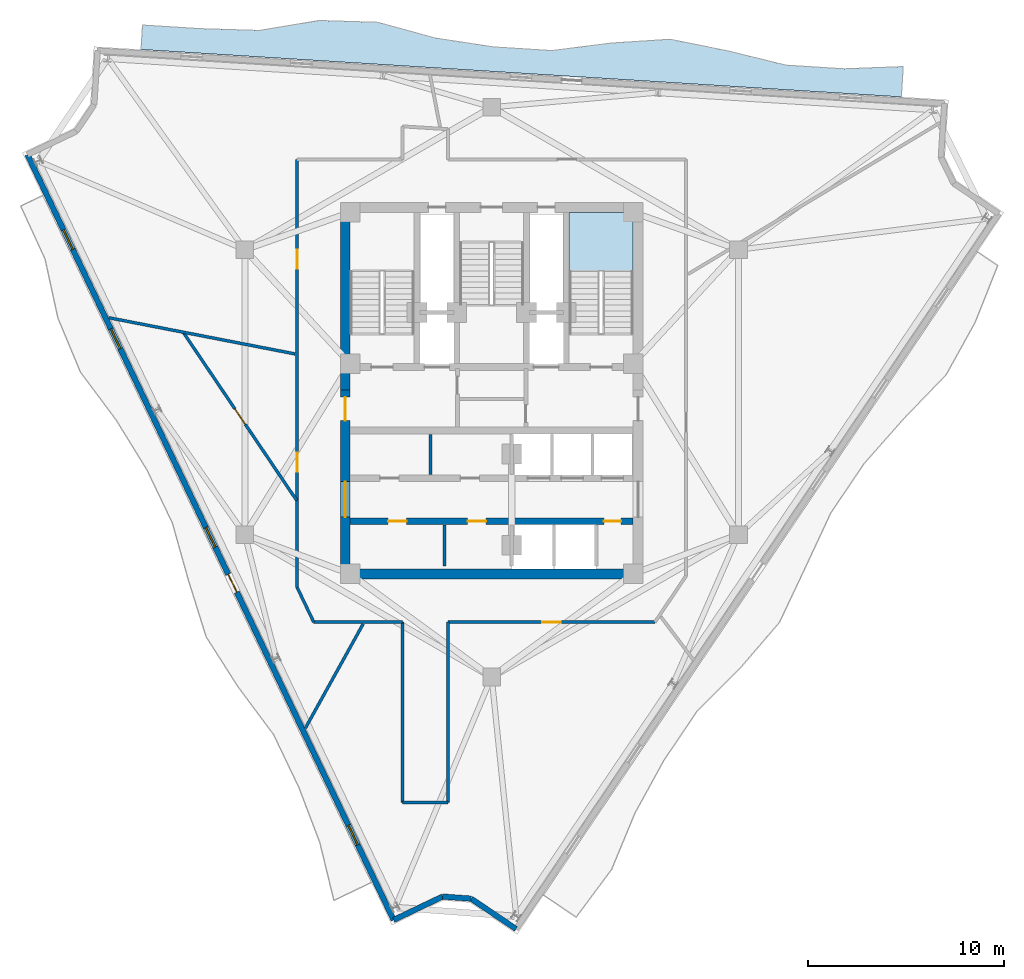
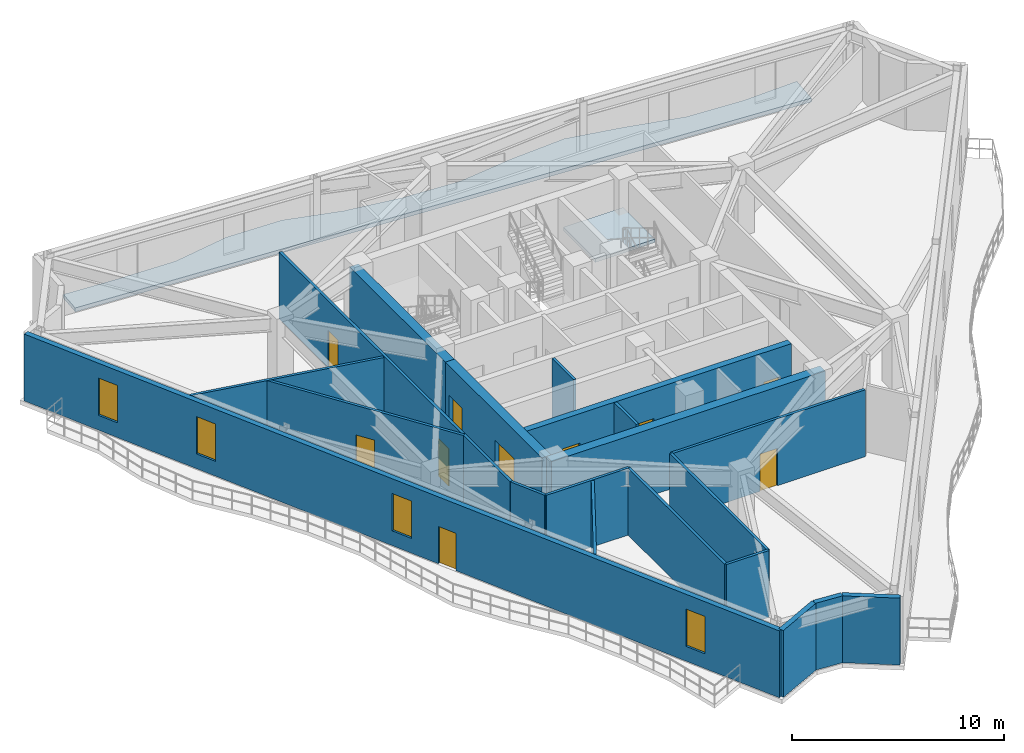
# One storey, part 5 of 10: 20 walls, 10 doors, 4 windows, 2 slabs, 14 openings, 1 element without a shape of its own.
"""IFC4 building model written with IfcOpenShell, lengths in metres."""

from ifc_helpers import new_model, si_unit, direction, frame, frame_2d, origin, place, context, subcontext, project, spatial, polyline, rectangle, outline, extrude, material, layer, layer_set, type_object, element, fill, aggregate, save


model = new_model("IFC4")

# Units and contexts
model_context = context("Model", 3, precision=1e-05, world=origin(), true_north=direction((0.0, 1.0)))
body_context = subcontext(model_context, "Body", "Model", "MODEL_VIEW")
ifc_project = project(units=[si_unit("LENGTHUNIT", "METRE"), si_unit("AREAUNIT", "SQUARE_METRE"), si_unit("VOLUMEUNIT", "CUBIC_METRE"), si_unit("PLANEANGLEUNIT", "RADIAN"), si_unit("MASSUNIT", "GRAM", prefix="KILO")], contexts=[model_context])

# Site, building, storey
site_placement = place(None, origin())
site = spatial("IfcSite", under=ifc_project, at=site_placement, CompositionType="ELEMENT")
building_placement = place(site_placement, origin())
building = spatial("IfcBuilding", under=site, at=building_placement, Name="Apsidion Concourse Tower", CompositionType="ELEMENT")
storey_placement = place(building_placement, frame((0.0, 0.0, 298.300048828125)))
storey = spatial("IfcBuildingStorey", under=building, at=storey_placement, Name="L70", CompositionType="ELEMENT", Elevation=298.300048828125)

# Slab
ifc_material_1 = material(Name="Concrete C50/60", Category="concrete")
ifc_layer_1 = layer(ifc_material_1, 0.219970703125)
ifc_layer_set_1 = layer_set([ifc_layer_1], Name="Concrete C50/60")
slab_type_1 = type_object("IfcSlabType", Name="SL-BAL-220", PredefinedType="FLOOR", material=ifc_layer_set_1)
slab_1_placement = place(storey_placement, frame((0.0, 0.0, -0.219970703125)))
element("IfcSlab", 1, at=slab_1_placement, inside=storey, type_object=slab_type_1, Name="L70 Face 3 Rippling Balcony Slab", PredefinedType="FLOOR", context=body_context, shape_type="SweptSolid", body=[
    extrude(outline(polyline([(20.8564453125, 15.025146484375), (17.879150390625, 15.2109375), (14.90185546875, 15.396484375), (11.924560546875, 15.582275390625), (8.947265625, 15.767822265625), (5.969970703125, 15.95361328125), (2.99267578125, 16.139404296875), (0.015380859375, 16.324951171875), (-2.9619140625, 16.510498046875), (-5.939208984375, 16.6962890625), (-8.91650390625, 16.882080078125), (-11.893798828125, 17.067626953125), (-14.87109375, 17.25341796875), (-17.848388671875, 17.43896484375), (-17.7705078125, 18.68701171875), (-14.793212890625, 18.5009765625), (-11.81005859375, 18.410888671875), (-8.78955078125, 18.9169921875), (-5.806396484375, 18.82666015625), (-2.86767578125, 18.023193359375), (0.09326171875, 17.572509765625), (3.070556640625, 17.38671875), (6.083251953125, 17.7685546875), (9.084228515625, 17.96337890625), (12.035888671875, 17.365478515625), (14.979736328125, 16.64404296875), (17.95703125, 16.45849609375), (20.952880859375, 16.572265625), (20.8564453125, 15.025146484375)])), origin(), (0.0, 0.0, 1.0), 0.219970703125),
])

# Stair, slab
ifc_material_2 = material(Name="Precast concrete C40/50", Category="concrete")
stair_type = type_object("IfcStairType", Name="ST-DL-1550", PredefinedType="HALF_TURN_STAIR", material=ifc_material_2)
stair_placement = place(storey_placement, origin())
stair = element("IfcStair", 2, at=stair_placement, inside=storey, type_object=stair_type, Name="L70 Protected Core Exit Stair ST2", PredefinedType="HALF_TURN_STAIR")
ifc_layer_2 = layer(ifc_material_1, 0.199951171875)
ifc_layer_set_2 = layer_set([ifc_layer_2], Name="Concrete C50/60")
slab_type_2 = type_object("IfcSlabType", Name="SL-ST-LAND-200", PredefinedType="LANDING", material=ifc_layer_set_2)
slab_2_placement = place(storey_placement, frame((0.0, 0.0, 1.849853515625)))
slab_2 = element("IfcSlab", 3, at=slab_2_placement, type_object=slab_type_2, Name="ST2 landing 1", PredefinedType="LANDING", context=body_context, shape_type="SweptSolid", body=[
    extrude(outline(polyline([(7.199951171875, 6.135009765625), (7.199951171875, 9.14990234375), (3.949951171875, 9.14990234375), (3.949951171875, 6.135009765625), (7.199951171875, 6.135009765625)])), origin(), (0.0, 0.0, 1.0), 0.2001953125),
])
aggregate(stair, [slab_2])

# Walls
ifc_layer_3 = layer(ifc_material_2, 0.280029296875)
ifc_layer_set_3 = layer_set([ifc_layer_3], Name="Precast concrete C40/50")
wall_type_1 = type_object("IfcWallType", Name="WL-EXT-280", PredefinedType="STANDARD", material=ifc_layer_set_3)
wall_1_placement = place(storey_placement, frame((1.2431640625, -27.323974609375, 0.0), z_axis=(0.0, 0.0, 1.0), x_axis=(-0.829015842911, 0.559225117643, 0.0)))
element("IfcWall", 4, at=wall_1_placement, inside=storey, type_object=wall_type_1, Name="L70 Precast Stone Facade Wall 06", PredefinedType="STANDARD", context=body_context, shape_type="SweptSolid", body=[
    extrude(rectangle(XDim=2.759033203125, YDim=0.280029296875, at=frame_2d((1.37939453125, 0.0))), origin(), (0.0, 0.0, 1.0), 3.849853515625),
])
wall_2_placement = place(storey_placement, frame((-1.044189453125, -25.781005859375, 0.0), z_axis=(0.0, 0.0, 1.0), x_axis=(-0.997286893261, 0.073612855735, 0.0)))
element("IfcWall", 5, at=wall_2_placement, inside=storey, type_object=wall_type_1, Name="L70 Precast Stone Facade Wall 07", PredefinedType="STANDARD", context=body_context, shape_type="SweptSolid", body=[
    extrude(rectangle(XDim=1.459228515625, YDim=0.280029296875, at=frame_2d((0.7294921875, 0.0))), origin(), (0.0, 0.0, 1.0), 3.849853515625),
])
wall_3_placement = place(storey_placement, frame((-2.49951171875, -25.673583984375, 0.0), z_axis=(0.0, 0.0, 1.0), x_axis=(-0.902044352952, -0.431643354296, 0.0)))
element("IfcWall", 6, at=wall_3_placement, inside=storey, type_object=wall_type_1, Name="L70 Precast Stone Facade Wall 08", PredefinedType="STANDARD", context=body_context, shape_type="SweptSolid", body=[
    extrude(rectangle(XDim=2.759033203125, YDim=0.280029296875, at=frame_2d((1.37939453125, 0.0))), origin(), (0.0, 0.0, 1.0), 3.849853515625),
])

# Wall, openings, door, windows
wall_4_placement = place(storey_placement, frame((-4.98828125, -26.864501953125, 0.0), z_axis=(0.0, 0.0, 1.0), x_axis=(-0.431592936847, 0.902068476815, 0.0)))
wall_4 = element("IfcWall", 7, at=wall_4_placement, inside=storey, type_object=wall_type_1, Name="L70 Precast Stone Facade Wall 09", PredefinedType="STANDARD", context=body_context, shape_type="SweptSolid", body=[
    extrude(rectangle(XDim=43.18017578125, YDim=0.280029296875, at=frame_2d((21.590087890625, 0.0))), origin(), (0.0, 0.0, 1.0), 3.849853515625),
])
opening_1_placement = place(wall_4_placement, frame((18.499267578125, 0.0, 0.0)))
opening_1 = element("IfcOpeningElement", 8, at=opening_1_placement, cuts=wall_4, Name="Opening D-T1L", PredefinedType="OPENING", context=body_context, shape_type="SweptSolid", body=[
    extrude(rectangle(XDim=1.0, YDim=2.14990234375, at=frame_2d((0.5, 1.074951171875))), frame((0.0, 0.14990234375, 0.0), z_axis=(0.0, -1.0, 0.0), x_axis=(1.0, 0.0, 0.0)), (0.0, 0.0, 1.0), 0.300048828125),
])
opening_2_placement = place(wall_4_placement, frame((4.239990234375, 0.0, 0.85009765625)))
opening_2 = element("IfcOpeningElement", 9, at=opening_2_placement, cuts=wall_4, Name="Opening WN-07", PredefinedType="OPENING", context=body_context, shape_type="SweptSolid", body=[
    extrude(rectangle(XDim=1.10009765625, YDim=2.14990234375, at=frame_2d((0.550048828125, 1.074951171875))), frame((0.0, 0.14990234375, 0.0), z_axis=(0.0, -1.0, 0.0), x_axis=(1.0, 0.0, 0.0)), (0.0, 0.0, 1.0), 0.300048828125),
])
opening_3_placement = place(wall_4_placement, frame((21.0400390625, 0.0, 0.85009765625)))
opening_3 = element("IfcOpeningElement", 10, at=opening_3_placement, cuts=wall_4, Name="Opening WN-07", PredefinedType="OPENING", context=body_context, shape_type="SweptSolid", body=[
    extrude(rectangle(XDim=1.10009765625, YDim=2.14990234375, at=frame_2d((0.550048828125, 1.074951171875))), frame((0.0, 0.14990234375, 0.0), z_axis=(0.0, -1.0, 0.0), x_axis=(1.0, 0.0, 0.0)), (0.0, 0.0, 1.0), 0.300048828125),
])
opening_4_placement = place(wall_4_placement, frame((32.239990234375, 0.0, 0.85009765625)))
opening_4 = element("IfcOpeningElement", 11, at=opening_4_placement, cuts=wall_4, Name="Opening WN-07", PredefinedType="OPENING", context=body_context, shape_type="SweptSolid", body=[
    extrude(rectangle(XDim=1.10009765625, YDim=2.14990234375, at=frame_2d((0.550048828125, 1.074951171875))), frame((0.0, 0.14990234375, 0.0), z_axis=(0.0, -1.0, 0.0), x_axis=(1.0, 0.0, 0.0)), (0.0, 0.0, 1.0), 0.300048828125),
])
opening_5_placement = place(wall_4_placement, frame((37.840087890625, 0.0, 0.85009765625)))
opening_5 = element("IfcOpeningElement", 12, at=opening_5_placement, cuts=wall_4, Name="Opening WN-07", PredefinedType="OPENING", context=body_context, shape_type="SweptSolid", body=[
    extrude(rectangle(XDim=1.10009765625, YDim=2.14990234375, at=frame_2d((0.550048828125, 1.074951171875))), frame((0.0, 0.14990234375, 0.0), z_axis=(0.0, -1.0, 0.0), x_axis=(1.0, 0.0, 0.0)), (0.0, 0.0, 1.0), 0.300048828125),
])
ifc_material_3 = material(Name="Anodised aluminium EN AW-6063 T6", Category="aluminium")
door_type_1 = type_object("IfcDoorType", Name="DR-TER-1022L", OperationType="SINGLE_SWING_LEFT", PredefinedType="DOOR", material=ifc_material_3)
door_1_placement = place(opening_1_placement, origin())
door_1 = element("IfcDoor", 13, at=door_1_placement, inside=storey, type_object=door_type_1, Name="L70 Balcony Access Door 1", OperationType="SINGLE_SWING_LEFT", OverallHeight=2.14990234375, OverallWidth=1.0, PredefinedType="DOOR", context=body_context, shape_type="SweptSolid", body=[
    extrude(rectangle(XDim=1.0, YDim=2.14990234375, at=frame_2d((0.5, 1.074951171875))), frame((0.0, 0.02490234375, 0.0), z_axis=(0.0, -1.0, 0.0), x_axis=(1.0, 0.0, 0.0)), (0.0, 0.0, 1.0), 0.050048828125),
])
fill(opening_1, door_1)
ifc_material_4 = material(Name="Insulated laminated low-E glass", Category="glass")
window_type = type_object("IfcWindowType", Name="WN-OFF-1123", PartitioningType="SINGLE_PANEL", PredefinedType="WINDOW", material=ifc_material_4)
window_1_placement = place(opening_2_placement, origin())
window_1 = element("IfcWindow", 14, at=window_1_placement, inside=storey, type_object=window_type, Name="L70 Punched Facade Window 9-01", OverallHeight=2.14990234375, OverallWidth=1.10009765625, PartitioningType="SINGLE_PANEL", PredefinedType="WINDOW", context=body_context, shape_type="SweptSolid", body=[
    extrude(rectangle(XDim=1.10009765625, YDim=2.14990234375, at=frame_2d((0.550048828125, 1.074951171875))), frame((0.0, 0.030029296875, 0.0), z_axis=(0.0, -1.0, 0.0), x_axis=(1.0, 0.0, 0.0)), (0.0, 0.0, 1.0), 0.06005859375),
])
fill(opening_2, window_1)
window_2_placement = place(opening_3_placement, origin())
window_2 = element("IfcWindow", 15, at=window_2_placement, inside=storey, type_object=window_type, Name="L70 Punched Facade Window 9-04", OverallHeight=2.14990234375, OverallWidth=1.10009765625, PartitioningType="SINGLE_PANEL", PredefinedType="WINDOW", context=body_context, shape_type="SweptSolid", body=[
    extrude(rectangle(XDim=1.10009765625, YDim=2.14990234375, at=frame_2d((0.550048828125, 1.074951171875))), frame((0.0, 0.030029296875, 0.0), z_axis=(0.0, -1.0, 0.0), x_axis=(1.0, 0.0, 0.0)), (0.0, 0.0, 1.0), 0.06005859375),
])
fill(opening_3, window_2)
window_3_placement = place(opening_4_placement, origin())
window_3 = element("IfcWindow", 16, at=window_3_placement, inside=storey, type_object=window_type, Name="L70 Punched Facade Window 9-06", OverallHeight=2.14990234375, OverallWidth=1.10009765625, PartitioningType="SINGLE_PANEL", PredefinedType="WINDOW", context=body_context, shape_type="SweptSolid", body=[
    extrude(rectangle(XDim=1.10009765625, YDim=2.14990234375, at=frame_2d((0.550048828125, 1.074951171875))), frame((0.0, 0.030029296875, 0.0), z_axis=(0.0, -1.0, 0.0), x_axis=(1.0, 0.0, 0.0)), (0.0, 0.0, 1.0), 0.06005859375),
])
fill(opening_4, window_3)
window_4_placement = place(opening_5_placement, origin())
window_4 = element("IfcWindow", 17, at=window_4_placement, inside=storey, type_object=window_type, Name="L70 Punched Facade Window 9-07", OverallHeight=2.14990234375, OverallWidth=1.10009765625, PartitioningType="SINGLE_PANEL", PredefinedType="WINDOW", context=body_context, shape_type="SweptSolid", body=[
    extrude(rectangle(XDim=1.10009765625, YDim=2.14990234375, at=frame_2d((0.550048828125, 1.074951171875))), frame((0.0, 0.030029296875, 0.0), z_axis=(0.0, -1.0, 0.0), x_axis=(1.0, 0.0, 0.0)), (0.0, 0.0, 1.0), 0.06005859375),
])
fill(opening_5, window_4)

# Walls
ifc_material_5 = material(Name="Gypsum plasterboard partition")
ifc_layer_4 = layer(ifc_material_5, 0.14990234375)
ifc_layer_set_4 = layer_set([ifc_layer_4], Name="Gypsum plasterboard partition")
wall_type_2 = type_object("IfcWallType", Name="WL-INT-PAR-150", PredefinedType="PARTITIONING", material=ifc_layer_set_4)
wall_5_placement = place(storey_placement, frame((-3.1201171875, -4.179931640625, 0.0), z_axis=(0.0, 0.0, 1.0), x_axis=(0.0, 1.0, 0.0)))
element("IfcWall", 18, at=wall_5_placement, inside=storey, type_object=wall_type_2, Name="L70 Interior Partition WL-L70-B1RV1", PredefinedType="PARTITIONING", context=body_context, shape_type="SweptSolid", body=[
    extrude(rectangle(XDim=2.030029296875, YDim=0.14990234375, at=frame_2d((1.01513671875, 0.0))), origin(), (0.0, 0.0, 1.0), 3.849853515625),
])
wall_6_placement = place(storey_placement, frame((-2.39990234375, -8.85009765625, 0.0), z_axis=(0.0, 0.0, 1.0), x_axis=(0.0, 1.0, 0.0)))
element("IfcWall", 19, at=wall_6_placement, inside=storey, type_object=wall_type_2, Name="L70 Interior Partition WL-L70-B2RV1", PredefinedType="PARTITIONING", context=body_context, shape_type="SweptSolid", body=[
    extrude(rectangle(XDim=2.080078125, YDim=0.14990234375, at=frame_2d((1.0400390625, 0.0))), origin(), (0.0, 0.0, 1.0), 3.849853515625),
])
wall_7_placement = place(storey_placement, frame((-4.530029296875, -11.699951171875, 0.0), z_axis=(0.0, 0.0, 1.0), x_axis=(-1.0, 0.0, 0.0)))
element("IfcWall", 20, at=wall_7_placement, inside=storey, type_object=wall_type_2, Name="L70 Interior Partition WL-L70-CORR-01", PredefinedType="PARTITIONING", context=body_context, shape_type="SweptSolid", body=[
    extrude(rectangle(XDim=4.5263671875, YDim=0.14990234375, at=frame_2d((2.26318359375, 0.0))), origin(), (0.0, 0.0, 1.0), 3.849853515625),
])
wall_8_placement = place(storey_placement, frame((-9.056396484375, -11.699951171875, 0.0), z_axis=(0.0, 0.0, 1.0), x_axis=(-0.431605782187, 0.902062330875, 0.0)))
element("IfcWall", 21, at=wall_8_placement, inside=storey, type_object=wall_type_2, Name="L70 Interior Partition WL-L70-CORR-02", PredefinedType="PARTITIONING", context=body_context, shape_type="SweptSolid", body=[
    extrude(rectangle(XDim=1.954345703125, YDim=0.14990234375, at=frame_2d((0.97705078125, 0.0))), origin(), (0.0, 0.0, 1.0), 3.849853515625),
])

# Wall, openings, doors
wall_9_placement = place(storey_placement, frame((-9.89990234375, -9.93701171875, 0.0), z_axis=(0.0, 0.0, 1.0), x_axis=(0.0, 1.0, 0.0)))
wall_9 = element("IfcWall", 22, at=wall_9_placement, inside=storey, type_object=wall_type_2, Name="L70 Interior Partition WL-L70-CORR-03", PredefinedType="PARTITIONING", context=body_context, shape_type="SweptSolid", body=[
    extrude(rectangle(XDim=21.787109375, YDim=0.14990234375, at=frame_2d((10.8935546875, 0.0))), origin(), (0.0, 0.0, 1.0), 3.849853515625),
])
opening_6_placement = place(wall_9_placement, frame((5.890380859375, 0.0, 0.0)))
opening_6 = element("IfcOpeningElement", 23, at=opening_6_placement, cuts=wall_9, Name="Opening D-01L", PredefinedType="OPENING", context=body_context, shape_type="SweptSolid", body=[
    extrude(rectangle(XDim=0.949951171875, YDim=2.14990234375, at=frame_2d((0.47509765625, 1.074951171875))), frame((0.0, 0.0849609375, 0.0), z_axis=(0.0, -1.0, 0.0), x_axis=(1.0, 0.0, 0.0)), (0.0, 0.0, 1.0), 0.169921875),
])
opening_7_placement = place(wall_9_placement, frame((16.229248046875, 0.0, 0.0)))
opening_7 = element("IfcOpeningElement", 24, at=opening_7_placement, cuts=wall_9, Name="Opening D-01L", PredefinedType="OPENING", context=body_context, shape_type="SweptSolid", body=[
    extrude(rectangle(XDim=0.949951171875, YDim=2.14990234375, at=frame_2d((0.47509765625, 1.074951171875))), frame((0.0, 0.0849609375, 0.0), z_axis=(0.0, -1.0, 0.0), x_axis=(1.0, 0.0, 0.0)), (0.0, 0.0, 1.0), 0.169921875),
])
ifc_material_6 = material(Name="Brushed stainless steel 316", Category="steel")
door_type_2 = type_object("IfcDoorType", Name="DR-INT-D01L", OperationType="SINGLE_SWING_LEFT", PredefinedType="DOOR", material=ifc_material_6)
door_2_placement = place(opening_6_placement, origin())
door_2 = element("IfcDoor", 25, at=door_2_placement, inside=storey, type_object=door_type_2, Name="L70 Corridor Entry Door 01", OperationType="SINGLE_SWING_LEFT", OverallHeight=2.14990234375, OverallWidth=0.949951171875, PredefinedType="DOOR", context=body_context, shape_type="SweptSolid", body=[
    extrude(rectangle(XDim=0.949951171875, YDim=2.14990234375, at=frame_2d((0.47509765625, 1.074951171875))), frame((0.0, 0.02490234375, 0.0), z_axis=(0.0, -1.0, 0.0), x_axis=(1.0, 0.0, 0.0)), (0.0, 0.0, 1.0), 0.050048828125),
])
fill(opening_6, door_2)
door_3_placement = place(opening_7_placement, origin())
door_3 = element("IfcDoor", 26, at=door_3_placement, inside=storey, type_object=door_type_2, Name="L70 Corridor Entry Door 05", OperationType="SINGLE_SWING_LEFT", OverallHeight=2.14990234375, OverallWidth=0.949951171875, PredefinedType="DOOR", context=body_context, shape_type="SweptSolid", body=[
    extrude(rectangle(XDim=0.949951171875, YDim=2.14990234375, at=frame_2d((0.47509765625, 1.074951171875))), frame((0.0, 0.02490234375, 0.0), z_axis=(0.0, -1.0, 0.0), x_axis=(1.0, 0.0, 0.0)), (0.0, 0.0, 1.0), 0.050048828125),
])
fill(opening_7, door_3)

# Wall, opening, door
wall_10_placement = place(storey_placement, frame((8.313720703125, -11.699951171875, 0.0), z_axis=(0.0, 0.0, 1.0), x_axis=(-1.0, 0.0, 0.0)))
wall_10 = element("IfcWall", 27, at=wall_10_placement, inside=storey, type_object=wall_type_2, Name="L70 Interior Partition WL-L70-CORR-11", PredefinedType="PARTITIONING", context=body_context, shape_type="SweptSolid", body=[
    extrude(rectangle(XDim=10.53369140625, YDim=0.14990234375, at=frame_2d((5.266845703125, 0.0))), origin(), (0.0, 0.0, 1.0), 3.849853515625),
])
opening_8_placement = place(wall_10_placement, frame((4.7919921875, 0.0, 0.0)))
opening_8 = element("IfcOpeningElement", 28, at=opening_8_placement, cuts=wall_10, Name="Opening D-01R", PredefinedType="OPENING", context=body_context, shape_type="SweptSolid", body=[
    extrude(rectangle(XDim=0.949951171875, YDim=2.14990234375, at=frame_2d((0.47509765625, 1.074951171875))), frame((0.0, 0.0849609375, 0.0), z_axis=(0.0, -1.0, 0.0), x_axis=(1.0, 0.0, 0.0)), (0.0, 0.0, 1.0), 0.169921875),
])
door_type_3 = type_object("IfcDoorType", Name="DR-INT-D01R", OperationType="SINGLE_SWING_RIGHT", PredefinedType="DOOR", material=ifc_material_6)
door_4_placement = place(opening_8_placement, origin())
door_4 = element("IfcDoor", 29, at=door_4_placement, inside=storey, type_object=door_type_3, Name="L70 Corridor Entry Door 02", OperationType="SINGLE_SWING_RIGHT", OverallHeight=2.14990234375, OverallWidth=0.949951171875, PredefinedType="DOOR", context=body_context, shape_type="SweptSolid", body=[
    extrude(rectangle(XDim=0.949951171875, YDim=2.14990234375, at=frame_2d((0.47509765625, 1.074951171875))), frame((0.0, 0.02490234375, 0.0), z_axis=(0.0, -1.0, 0.0), x_axis=(1.0, 0.0, 0.0)), (0.0, 0.0, 1.0), 0.050048828125),
])
fill(opening_8, door_4)

# Walls
wall_11_placement = place(storey_placement, frame((-2.219970703125, -11.699951171875, 0.0), z_axis=(0.0, 0.0, 1.0), x_axis=(0.0, -1.0, 0.0)))
element("IfcWall", 30, at=wall_11_placement, inside=storey, type_object=wall_type_2, Name="L70 Interior Partition WL-L70-CORR-12", PredefinedType="PARTITIONING", context=body_context, shape_type="SweptSolid", body=[
    extrude(rectangle(XDim=9.179931640625, YDim=0.14990234375, at=frame_2d((4.58984375, 0.0))), origin(), (0.0, 0.0, 1.0), 3.849853515625),
])
wall_12_placement = place(storey_placement, frame((-2.219970703125, -20.8798828125, 0.0), z_axis=(0.0, 0.0, 1.0), x_axis=(-1.0, 0.0, 0.0)))
element("IfcWall", 31, at=wall_12_placement, inside=storey, type_object=wall_type_2, Name="L70 Interior Partition WL-L70-CORR-13", PredefinedType="PARTITIONING", context=body_context, shape_type="SweptSolid", body=[
    extrude(rectangle(XDim=2.31005859375, YDim=0.14990234375, at=frame_2d((1.155029296875, 0.0))), origin(), (0.0, 0.0, 1.0), 3.849853515625),
])
wall_13_placement = place(storey_placement, frame((-4.530029296875, -20.8798828125, 0.0), z_axis=(0.0, 0.0, 1.0), x_axis=(0.0, 1.0, 0.0)))
element("IfcWall", 32, at=wall_13_placement, inside=storey, type_object=wall_type_2, Name="L70 Interior Partition WL-L70-CORR-14", PredefinedType="PARTITIONING", context=body_context, shape_type="SweptSolid", body=[
    extrude(rectangle(XDim=9.179931640625, YDim=0.14990234375, at=frame_2d((4.58984375, 0.0))), origin(), (0.0, 0.0, 1.0), 3.849853515625),
])
wall_14_placement = place(storey_placement, frame((-10.0048828125, 1.94482421875, 0.0), z_axis=(0.0, 0.0, 1.0), x_axis=(-0.981627496449, 0.190807385117, 0.0)))
element("IfcWall", 33, at=wall_14_placement, inside=storey, type_object=wall_type_2, Name="L70 Interior Partition WL-L70-RAD-03-1", PredefinedType="PARTITIONING", context=body_context, shape_type="SweptSolid", body=[
    extrude(rectangle(XDim=9.65380859375, YDim=0.14990234375, at=frame_2d((4.826904296875, 0.0))), origin(), (0.0, 0.0, 1.0), 3.849853515625),
])
wall_15_placement = place(storey_placement, frame((-6.543701171875, -11.804931640625, 0.0), z_axis=(0.0, 0.0, 1.0), x_axis=(-0.484812131502, -0.874618315123, 0.0)))
element("IfcWall", 34, at=wall_15_placement, inside=storey, type_object=wall_type_2, Name="L70 Interior Partition WL-L70-RAD-04-1", PredefinedType="PARTITIONING", context=body_context, shape_type="SweptSolid", body=[
    extrude(rectangle(XDim=6.064697265625, YDim=0.14990234375, at=frame_2d((3.0322265625, 0.0))), origin(), (0.0, 0.0, 1.0), 3.849853515625),
])

# Wall, opening, door
wall_16_placement = place(storey_placement, frame((-15.68212890625, 3.022705078125, 0.0), z_axis=(0.0, 0.0, 1.0), x_axis=(0.559406093738, -0.828893734015, 0.0)))
wall_16 = element("IfcWall", 35, at=wall_16_placement, inside=storey, type_object=wall_type_2, Name="L70 Interior Partition WL-L70-CHD-OFWC", PredefinedType="PARTITIONING", context=body_context, shape_type="SweptSolid", body=[
    extrude(rectangle(XDim=10.300537109375, YDim=0.14990234375, at=frame_2d((5.150390625, 0.0))), origin(), (0.0, 0.0, 1.0), 3.849853515625),
])
opening_9_placement = place(wall_16_placement, frame((4.67529296875, 0.0, 0.0)))
opening_9 = element("IfcOpeningElement", 36, at=opening_9_placement, cuts=wall_16, Name="Opening D-04L", PredefinedType="OPENING", context=body_context, shape_type="SweptSolid", body=[
    extrude(rectangle(XDim=0.949951171875, YDim=2.14990234375, at=frame_2d((0.47509765625, 1.074951171875))), frame((0.0, 0.0849609375, 0.0), z_axis=(0.0, -1.0, 0.0), x_axis=(1.0, 0.0, 0.0)), (0.0, 0.0, 1.0), 0.169921875),
])
door_type_4 = type_object("IfcDoorType", Name="DR-INT-D04L", OperationType="SINGLE_SWING_LEFT", PredefinedType="DOOR", material=ifc_material_6)
door_5_placement = place(opening_9_placement, origin())
door_5 = element("IfcDoor", 37, at=door_5_placement, inside=storey, type_object=door_type_4, Name="L70 Suite Connecting Door OFWC", OperationType="SINGLE_SWING_LEFT", OverallHeight=2.14990234375, OverallWidth=0.949951171875, PredefinedType="DOOR", context=body_context, shape_type="SweptSolid", body=[
    extrude(rectangle(XDim=0.949951171875, YDim=2.14990234375, at=frame_2d((0.47509765625, 1.074951171875))), frame((0.0, 0.02490234375, 0.0), z_axis=(0.0, -1.0, 0.0), x_axis=(1.0, 0.0, 0.0)), (0.0, 0.0, 1.0), 0.050048828125),
])
fill(opening_9, door_5)

# Wall, openings, doors
ifc_layer_5 = layer(ifc_material_1, 0.35009765625)
ifc_layer_set_5 = layer_set([ifc_layer_5], Name="Concrete C50/60")
wall_type_3 = type_object("IfcWallType", Name="WL-SH-350", PredefinedType="SHEAR", material=ifc_layer_set_5)
wall_17_placement = place(storey_placement, frame((-7.199951171875, -6.570068359375, 0.0), z_axis=(0.0, 0.0, 1.0), x_axis=(1.0, 0.0, 0.0)))
wall_17 = element("IfcWall", 38, at=wall_17_placement, inside=storey, type_object=wall_type_3, Name="L70 Central Core Shear Wall LB", PredefinedType="SHEAR", context=body_context, shape_type="SweptSolid", body=[
    extrude(rectangle(XDim=14.39990234375, YDim=0.35009765625, at=frame_2d((7.199951171875, 0.0))), origin(), (0.0, 0.0, 1.0), 3.849853515625),
])
opening_10_placement = place(wall_17_placement, frame((1.925048828125, 0.0, 0.0)))
opening_10 = element("IfcOpeningElement", 39, at=opening_10_placement, cuts=wall_17, Name="Opening D-04R", PredefinedType="OPENING", context=body_context, shape_type="SweptSolid", body=[
    extrude(rectangle(XDim=0.949951171875, YDim=2.14990234375, at=frame_2d((0.47509765625, 1.074951171875))), frame((0.0, 0.18505859375, 0.0), z_axis=(0.0, -1.0, 0.0), x_axis=(1.0, 0.0, 0.0)), (0.0, 0.0, 1.0), 0.3701171875),
])
opening_11_placement = place(wall_17_placement, frame((5.97509765625, 0.0, 0.0)))
opening_11 = element("IfcOpeningElement", 40, at=opening_11_placement, cuts=wall_17, Name="Opening D-04L", PredefinedType="OPENING", context=body_context, shape_type="SweptSolid", body=[
    extrude(rectangle(XDim=0.949951171875, YDim=2.14990234375, at=frame_2d((0.47509765625, 1.074951171875))), frame((0.0, 0.18505859375, 0.0), z_axis=(0.0, -1.0, 0.0), x_axis=(1.0, 0.0, 0.0)), (0.0, 0.0, 1.0), 0.3701171875),
])
opening_12_placement = place(wall_17_placement, frame((12.909912109375, 0.0, 0.0)))
opening_12 = element("IfcOpeningElement", 41, at=opening_12_placement, cuts=wall_17, Name="Opening D-05L", PredefinedType="OPENING", context=body_context, shape_type="SweptSolid", body=[
    extrude(rectangle(XDim=0.8798828125, YDim=2.14990234375, at=frame_2d((0.43994140625, 1.074951171875))), frame((0.0, 0.18505859375, 0.0), z_axis=(0.0, -1.0, 0.0), x_axis=(1.0, 0.0, 0.0)), (0.0, 0.0, 1.0), 0.3701171875),
])
door_6_placement = place(opening_11_placement, origin())
door_6 = element("IfcDoor", 42, at=door_6_placement, inside=storey, type_object=door_type_4, Name="L70 Executive IT Server Room Door", OperationType="SINGLE_SWING_LEFT", OverallHeight=2.14990234375, OverallWidth=0.949951171875, PredefinedType="DOOR", context=body_context, shape_type="SweptSolid", body=[
    extrude(rectangle(XDim=0.949951171875, YDim=2.14990234375, at=frame_2d((0.47509765625, 1.074951171875))), frame((0.0, 0.02490234375, 0.0), z_axis=(0.0, -1.0, 0.0), x_axis=(1.0, 0.0, 0.0)), (0.0, 0.0, 1.0), 0.050048828125),
])
fill(opening_11, door_6)
door_type_5 = type_object("IfcDoorType", Name="DR-INT-D04R", OperationType="SINGLE_SWING_RIGHT", PredefinedType="DOOR", material=ifc_material_6)
door_7_placement = place(opening_10_placement, origin())
door_7 = element("IfcDoor", 43, at=door_7_placement, inside=storey, type_object=door_type_5, Name="L70 Executive Catering Pantry Door", OperationType="SINGLE_SWING_RIGHT", OverallHeight=2.14990234375, OverallWidth=0.949951171875, PredefinedType="DOOR", context=body_context, shape_type="SweptSolid", body=[
    extrude(rectangle(XDim=0.949951171875, YDim=2.14990234375, at=frame_2d((0.47509765625, 1.074951171875))), frame((0.0, 0.02490234375, 0.0), z_axis=(0.0, -1.0, 0.0), x_axis=(1.0, 0.0, 0.0)), (0.0, 0.0, 1.0), 0.050048828125),
])
fill(opening_10, door_7)
door_type_6 = type_object("IfcDoorType", Name="DR-INT-D05L", OperationType="SINGLE_SWING_LEFT", PredefinedType="DOOR", material=ifc_material_6)
door_8_placement = place(opening_12_placement, origin())
door_8 = element("IfcDoor", 44, at=door_8_placement, inside=storey, type_object=door_type_6, Name="L70 Cleaners Store Door", OperationType="SINGLE_SWING_LEFT", OverallHeight=2.14990234375, OverallWidth=0.8798828125, PredefinedType="DOOR", context=body_context, shape_type="SweptSolid", body=[
    extrude(rectangle(XDim=0.8798828125, YDim=2.14990234375, at=frame_2d((0.43994140625, 1.074951171875))), frame((0.0, 0.02490234375, 0.0), z_axis=(0.0, -1.0, 0.0), x_axis=(1.0, 0.0, 0.0)), (0.0, 0.0, 1.0), 0.050048828125),
])
fill(opening_12, door_8)

# Wall
ifc_layer_6 = layer(ifc_material_1, 0.5)
ifc_layer_set_6 = layer_set([ifc_layer_6], Name="Concrete C50/60")
wall_type_4 = type_object("IfcWallType", Name="WL-SH-500", PredefinedType="SHEAR", material=ifc_layer_set_6)
wall_18_placement = place(storey_placement, frame((-7.449951171875, 0.10009765625, 0.0), z_axis=(0.0, 0.0, 1.0), x_axis=(0.0, 1.0, 0.0)))
element("IfcWall", 45, at=wall_18_placement, inside=storey, type_object=wall_type_4, Name="L70 Central Core Shear Wall WN", PredefinedType="SHEAR", context=body_context, shape_type="SweptSolid", body=[
    extrude(rectangle(XDim=9.0498046875, YDim=0.5, at=frame_2d((4.52490234375, 0.0))), origin(), (0.0, 0.0, 1.0), 3.849853515625),
])

# Wall, openings, doors
wall_19_placement = place(storey_placement, frame((-7.449951171875, -9.0, 0.0), z_axis=(0.0, 0.0, 1.0), x_axis=(0.0, 1.0, 0.0)))
wall_19 = element("IfcWall", 46, at=wall_19_placement, inside=storey, type_object=wall_type_4, Name="L70 Central Core Shear Wall WS", PredefinedType="SHEAR", context=body_context, shape_type="SweptSolid", body=[
    extrude(rectangle(XDim=9.10009765625, YDim=0.5, at=frame_2d((4.550048828125, 0.0))), origin(), (0.0, 0.0, 1.0), 3.849853515625),
])
opening_13_placement = place(wall_19_placement, frame((2.639892578125, 0.0, 0.0)))
opening_13 = element("IfcOpeningElement", 47, at=opening_13_placement, cuts=wall_19, Name="Opening D-06D", PredefinedType="OPENING", context=body_context, shape_type="SweptSolid", body=[
    extrude(rectangle(XDim=1.800048828125, YDim=2.199951171875, at=frame_2d((0.89990234375, 1.10009765625))), frame((0.0, 0.260009765625, 0.0), z_axis=(0.0, -1.0, 0.0), x_axis=(1.0, 0.0, 0.0)), (0.0, 0.0, 1.0), 0.52001953125),
])
opening_14_placement = place(wall_19_placement, frame((7.550048828125, 0.0, 0.0)))
opening_14 = element("IfcOpeningElement", 48, at=opening_14_placement, cuts=wall_19, Name="Opening D-FFL", PredefinedType="OPENING", context=body_context, shape_type="SweptSolid", body=[
    extrude(rectangle(XDim=1.199951171875, YDim=2.14990234375, at=frame_2d((0.60009765625, 1.074951171875))), frame((0.0, 0.260009765625, 0.0), z_axis=(0.0, -1.0, 0.0), x_axis=(1.0, 0.0, 0.0)), (0.0, 0.0, 1.0), 0.52001953125),
])
door_type_7 = type_object("IfcDoorType", Name="DR-INT-D06D", OperationType="DOUBLE_DOOR_SINGLE_SWING", PredefinedType="DOOR", material=ifc_material_6)
door_9_placement = place(opening_13_placement, origin())
door_9 = element("IfcDoor", 49, at=door_9_placement, inside=storey, type_object=door_type_7, Name="L70 Passenger Lift Lobby WS Portal Door", OperationType="DOUBLE_DOOR_SINGLE_SWING", OverallHeight=2.199951171875, OverallWidth=1.800048828125, PredefinedType="DOOR", context=body_context, shape_type="SweptSolid", body=[
    extrude(rectangle(XDim=1.800048828125, YDim=2.199951171875, at=frame_2d((0.89990234375, 1.10009765625))), frame((0.0, 0.02490234375, 0.0), z_axis=(0.0, -1.0, 0.0), x_axis=(1.0, 0.0, 0.0)), (0.0, 0.0, 1.0), 0.050048828125),
])
fill(opening_13, door_9)
door_type_8 = type_object("IfcDoorType", Name="DR-INT-FFL", OperationType="SINGLE_SWING_LEFT", PredefinedType="DOOR", material=ifc_material_6)
door_10_placement = place(opening_14_placement, origin())
door_10 = element("IfcDoor", 50, at=door_10_placement, inside=storey, type_object=door_type_8, Name="L70 Firefighting Lift Lobby FF1 Door", OperationType="SINGLE_SWING_LEFT", OverallHeight=2.14990234375, OverallWidth=1.199951171875, PredefinedType="DOOR", context=body_context, shape_type="SweptSolid", body=[
    extrude(rectangle(XDim=1.199951171875, YDim=2.14990234375, at=frame_2d((0.60009765625, 1.074951171875))), frame((0.0, 0.02490234375, 0.0), z_axis=(0.0, -1.0, 0.0), x_axis=(1.0, 0.0, 0.0)), (0.0, 0.0, 1.0), 0.050048828125),
])
fill(opening_14, door_10)

# Wall
wall_20_placement = place(storey_placement, frame((-7.449951171875, -9.25, 0.0), z_axis=(0.0, 0.0, 1.0), x_axis=(1.0, 0.0, 0.0)))
element("IfcWall", 51, at=wall_20_placement, inside=storey, type_object=wall_type_4, Name="L70 Central Core Shear Wall S", PredefinedType="SHEAR", context=body_context, shape_type="SweptSolid", body=[
    extrude(rectangle(XDim=14.89990234375, YDim=0.5, at=frame_2d((7.449951171875, 0.0))), origin(), (0.0, 0.0, 1.0), 3.849853515625),
])

save(model, "model.ifc")
